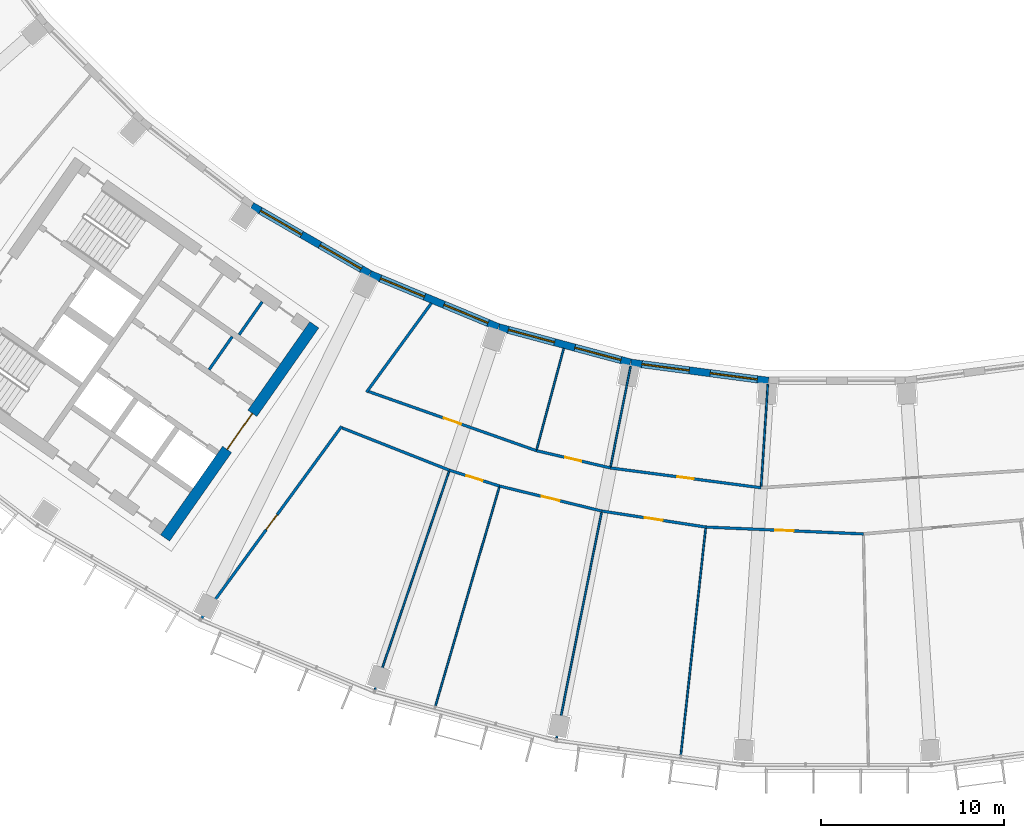
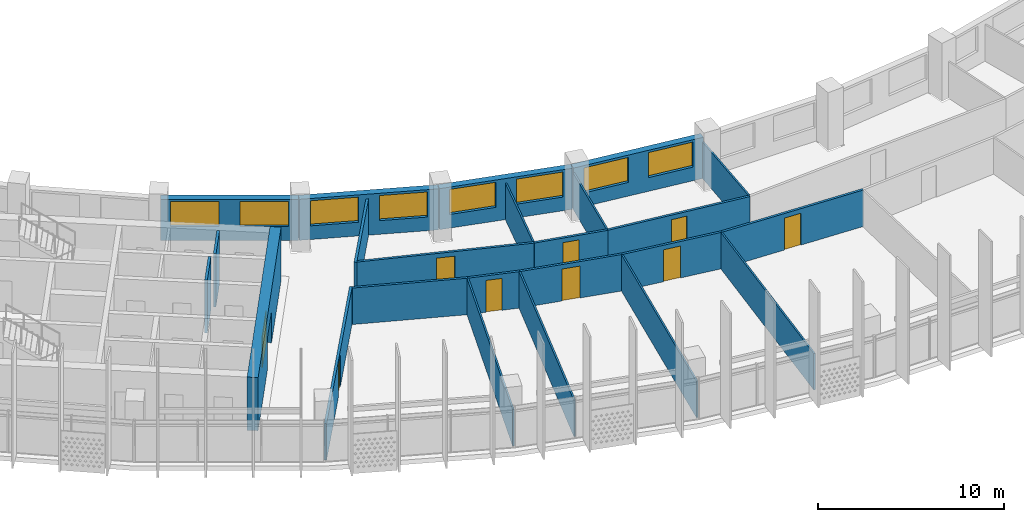
# One storey, part 3 of 30: 24 walls, 9 doors, 8 windows, 17 openings.
"""IFC4 building model written with IfcOpenShell, lengths in metres."""

from ifc_helpers import new_model, si_unit, direction, frame, frame_2d, origin, place, context, subcontext, project, spatial, rectangle, extrude, material, layer, layer_set, type_object, element, fill, save


model = new_model("IFC4")

# Units and contexts
model_context = context("Model", 3, precision=1e-05, world=origin(), true_north=direction((0.0, 1.0)))
body_context = subcontext(model_context, "Body", "Model", "MODEL_VIEW")
ifc_project = project(units=[si_unit("LENGTHUNIT", "METRE"), si_unit("AREAUNIT", "SQUARE_METRE"), si_unit("VOLUMEUNIT", "CUBIC_METRE"), si_unit("PLANEANGLEUNIT", "RADIAN"), si_unit("MASSUNIT", "GRAM", prefix="KILO")], contexts=[model_context])

# Site, building, storey
site_placement = place(None, origin())
site = spatial("IfcSite", under=ifc_project, at=site_placement, CompositionType="ELEMENT")
building_placement = place(site_placement, origin())
building = spatial("IfcBuilding", under=site, at=building_placement, Name="Qamariyya Broadcast Tower", CompositionType="ELEMENT")
storey_placement = place(building_placement, frame((0.0, 0.0, 203.699951171875)))
storey = spatial("IfcBuildingStorey", under=building, at=storey_placement, Name="L48", CompositionType="ELEMENT", Elevation=203.699951171875)

# Wall, opening, door
ifc_material_1 = material(Name="Concrete C60/75", Category="concrete")
ifc_layer_1 = layer(ifc_material_1, 0.60009765625)
ifc_layer_set_1 = layer_set([ifc_layer_1], Name="Core wall 600 mm Concrete C60/75")
wall_type_1 = type_object("IfcWallType", Name="Core wall 600 mm Concrete C60/75", PredefinedType="SHEAR", material=ifc_layer_set_1)
wall_1_placement = place(storey_placement, frame((-36.66748046875, -66.005126953125, 0.0), z_axis=(0.0, 0.0, 1.0), x_axis=(0.573568499524, 0.819157601658, 0.0)))
wall_1 = element("IfcWall", 1, at=wall_1_placement, inside=storey, type_object=wall_type_1, Name="k-W-L48-WA", PredefinedType="SHEAR", context=body_context, shape_type="SweptSolid", body=[
    extrude(rectangle(XDim=14.19970703125, YDim=0.60009765625, at=frame_2d((7.099853515625, 0.0))), origin(), (0.0, 0.0, 1.0), 3.5),
])
opening_1_placement = place(wall_1_placement, frame((5.89990234375, 0.0, 0.0)))
opening_1 = element("IfcOpeningElement", 2, at=opening_1_placement, cuts=wall_1, Name="Opening KD3-W1", PredefinedType="OPENING", context=body_context, shape_type="SweptSolid", body=[
    extrude(rectangle(XDim=2.39990234375, YDim=2.10009765625, at=frame_2d((1.199951171875, 1.050048828125))), frame((0.0, 0.31005859375, 0.0), z_axis=(0.0, -1.0, 0.0), x_axis=(1.0, 0.0, 0.0)), (0.0, 0.0, 1.0), 0.6201171875),
])
ifc_material_2 = material(Name="Steel fire-resisting door leaf", Category="steel")
door_type_1 = type_object("IfcDoorType", Name="Lift lobby door KD3", OperationType="DOUBLE_DOOR_SINGLE_SWING", PredefinedType="DOOR", material=ifc_material_2)
door_1_placement = place(opening_1_placement, origin())
door_1 = element("IfcDoor", 3, at=door_1_placement, inside=storey, type_object=door_type_1, Name="k-W-L48-WA-D1", OperationType="DOUBLE_DOOR_SINGLE_SWING", OverallHeight=2.10009765625, OverallWidth=2.39990234375, PredefinedType="DOOR", context=body_context, shape_type="SweptSolid", body=[
    extrude(rectangle(XDim=2.39990234375, YDim=2.10009765625, at=frame_2d((1.199951171875, 1.050048828125))), frame((0.0, 0.02490234375, 0.0), z_axis=(0.0, -1.0, 0.0), x_axis=(1.0, 0.0, 0.0)), (0.0, 0.0, 1.0), 0.050048828125),
])
fill(opening_1, door_1)

ifc_material_3 = material(Name="Gypsum board partition")
ifc_layer_2 = layer(ifc_material_3, 0.14990234375)
ifc_layer_set_2 = layer_set([ifc_layer_2], Name="Corridor partition 150 EI 60")
wall_type_2 = type_object("IfcWallType", Name="Corridor partition 150 EI 60", PredefinedType="PARTITIONING", material=ifc_layer_set_2)
wall_2_placement = place(storey_placement, frame((-27.033447265625, -59.90966796875, 0.0), z_axis=(0.0, 0.0, 1.0), x_axis=(-0.589273648147, -0.807933516819, 0.0)))
wall_2 = element("IfcWall", 4, at=wall_2_placement, inside=storey, type_object=wall_type_2, Name="Partition L48-002", PredefinedType="PARTITIONING", context=body_context, shape_type="SweptSolid", body=[
    extrude(rectangle(XDim=12.956298828125, YDim=0.14990234375, at=frame_2d((6.47802734375, 0.0))), origin(), (0.0, 0.0, 1.0), 2.400146484375),
])
opening_2_placement = place(wall_2_placement, frame((5.97802734375, 0.0, 0.0)))
opening_2 = element("IfcOpeningElement", 5, at=opening_2_placement, cuts=wall_2, Name="Opening L48-D01", PredefinedType="OPENING", context=body_context, shape_type="SweptSolid", body=[
    extrude(rectangle(XDim=1.0, YDim=2.10009765625, at=frame_2d((0.5, 1.050048828125))), frame((0.0, 0.0849609375, 0.0), z_axis=(0.0, -1.0, 0.0), x_axis=(1.0, 0.0, 0.0)), (0.0, 0.0, 1.0), 0.169921875),
])
ifc_material_4 = material(Name="Timber fire door leaf", Category="wood")
door_type_2 = type_object("IfcDoorType", Name="Fire door 1000 x 2100 FD60", OperationType="NOTDEFINED", PredefinedType="DOOR", material=ifc_material_4)
door_2_placement = place(opening_2_placement, origin())
door_2 = element("IfcDoor", 6, at=door_2_placement, inside=storey, type_object=door_type_2, Name="Door L48-D01", OperationType="SINGLE_SWING_RIGHT", OverallHeight=2.10009765625, OverallWidth=1.0, PredefinedType="DOOR", context=body_context, shape_type="SweptSolid", body=[
    extrude(rectangle(XDim=1.0, YDim=2.10009765625, at=frame_2d((0.5, 1.050048828125))), frame((0.0, 0.02490234375, 0.0), z_axis=(0.0, -1.0, 0.0), x_axis=(1.0, 0.0, 0.0)), (0.0, 0.0, 1.0), 0.050048828125),
])
fill(opening_2, door_2)

# Wall
wall_3_placement = place(storey_placement, frame((-27.008056640625, -59.997802734375, 0.0), z_axis=(0.0, 0.0, 1.0), x_axis=(0.930254850636, -0.366914040162, 0.0)))
element("IfcWall", 7, at=wall_3_placement, inside=storey, type_object=wall_type_2, Name="Partition L48-003", PredefinedType="PARTITIONING", context=body_context, shape_type="SweptSolid", body=[
    extrude(rectangle(XDim=6.296630859375, YDim=0.14990234375, at=frame_2d((3.1484375, 0.0))), origin(), (0.0, 0.0, 1.0), 2.400146484375),
])

# Wall, opening, door
wall_4_placement = place(storey_placement, frame((-25.56103515625, -58.0126953125, 0.0), z_axis=(0.0, 0.0, 1.0), x_axis=(0.943087830275, -0.332543748081, 0.0)))
wall_4 = element("IfcWall", 8, at=wall_4_placement, inside=storey, type_object=wall_type_2, Name="Partition L48-004", PredefinedType="PARTITIONING", context=body_context, shape_type="SweptSolid", body=[
    extrude(rectangle(XDim=9.7041015625, YDim=0.14990234375, at=frame_2d((4.85205078125, 0.0))), origin(), (0.0, 0.0, 1.0), 2.400146484375),
])
opening_3_placement = place(wall_4_placement, frame((4.35205078125, 0.0, 0.0)))
opening_3 = element("IfcOpeningElement", 9, at=opening_3_placement, cuts=wall_4, Name="Opening L48-D09", PredefinedType="OPENING", context=body_context, shape_type="SweptSolid", body=[
    extrude(rectangle(XDim=1.0, YDim=2.10009765625, at=frame_2d((0.5, 1.050048828125))), frame((0.0, 0.0849609375, 0.0), z_axis=(0.0, -1.0, 0.0), x_axis=(1.0, 0.0, 0.0)), (0.0, 0.0, 1.0), 0.169921875),
])
door_3_placement = place(opening_3_placement, origin())
door_3 = element("IfcDoor", 10, at=door_3_placement, inside=storey, type_object=door_type_2, Name="Door L48-D09", OperationType="SINGLE_SWING_RIGHT", OverallHeight=2.10009765625, OverallWidth=1.0, PredefinedType="DOOR", context=body_context, shape_type="SweptSolid", body=[
    extrude(rectangle(XDim=1.0, YDim=2.10009765625, at=frame_2d((0.5, 1.050048828125))), frame((0.0, 0.02490234375, 0.0), z_axis=(0.0, -1.0, 0.0), x_axis=(1.0, 0.0, 0.0)), (0.0, 0.0, 1.0), 0.050048828125),
])
fill(opening_3, door_3)

# Wall
wall_5_placement = place(storey_placement, frame((-22.135498046875, -53.1943359375, 0.0), z_axis=(0.0, 0.0, 1.0), x_axis=(-0.589297062476, -0.807916438846, 0.0)))
element("IfcWall", 11, at=wall_5_placement, inside=storey, type_object=wall_type_2, Name="Partition L48-007", PredefinedType="PARTITIONING", context=body_context, shape_type="SweptSolid", body=[
    extrude(rectangle(XDim=6.008056640625, YDim=0.14990234375, at=frame_2d((3.00390625, 0.0))), origin(), (0.0, 0.0, 1.0), 2.400146484375),
])

# Wall, opening, door
wall_6_placement = place(storey_placement, frame((-18.41455078125, -63.170654296875, 0.0), z_axis=(0.0, 0.0, 1.0), x_axis=(-0.953730459195, 0.300662952827, 0.0)))
wall_6 = element("IfcWall", 12, at=wall_6_placement, inside=storey, type_object=wall_type_2, Name="Partition L48-008", PredefinedType="PARTITIONING", context=body_context, shape_type="SweptSolid", body=[
    extrude(rectangle(XDim=2.868896484375, YDim=0.14990234375, at=frame_2d((1.4345703125, 0.0))), origin(), (0.0, 0.0, 1.0), 2.400146484375),
])
opening_4_placement = place(wall_6_placement, frame((0.984619140625, 0.0, 0.0)))
opening_4 = element("IfcOpeningElement", 13, at=opening_4_placement, cuts=wall_6, Name="Opening L48-D02", PredefinedType="OPENING", context=body_context, shape_type="SweptSolid", body=[
    extrude(rectangle(XDim=0.89990234375, YDim=2.10009765625, at=frame_2d((0.449951171875, 1.050048828125))), frame((0.0, 0.0849609375, 0.0), z_axis=(0.0, -1.0, 0.0), x_axis=(1.0, 0.0, 0.0)), (0.0, 0.0, 1.0), 0.169921875),
])
door_type_3 = type_object("IfcDoorType", Name="Fire door 900 x 2100 FD60", OperationType="NOTDEFINED", PredefinedType="DOOR", material=ifc_material_4)
door_4_placement = place(opening_4_placement, origin())
door_4 = element("IfcDoor", 14, at=door_4_placement, inside=storey, type_object=door_type_3, Name="Door L48-D02", OperationType="SINGLE_SWING_RIGHT", OverallHeight=2.10009765625, OverallWidth=0.89990234375, PredefinedType="DOOR", context=body_context, shape_type="SweptSolid", body=[
    extrude(rectangle(XDim=0.89990234375, YDim=2.10009765625, at=frame_2d((0.449951171875, 1.050048828125))), frame((0.0, 0.02490234375, 0.0), z_axis=(0.0, -1.0, 0.0), x_axis=(1.0, 0.0, 0.0)), (0.0, 0.0, 1.0), 0.050048828125),
])
fill(opening_4, door_4)

wall_7_placement = place(storey_placement, frame((-12.8369140625, -64.53564453125, 0.0), z_axis=(0.0, 0.0, 1.0), x_axis=(-0.971335989794, 0.237710737938, 0.0)))
wall_7 = element("IfcWall", 15, at=wall_7_placement, inside=storey, type_object=wall_type_2, Name="Partition L48-009", PredefinedType="PARTITIONING", context=body_context, shape_type="SweptSolid", body=[
    extrude(rectangle(XDim=5.7421875, YDim=0.14990234375, at=frame_2d((2.87109375, 0.0))), origin(), (0.0, 0.0, 1.0), 2.400146484375),
])
opening_5_placement = place(wall_7_placement, frame((2.37109375, 0.0, 0.0)))
opening_5 = element("IfcOpeningElement", 16, at=opening_5_placement, cuts=wall_7, Name="Opening L48-D03", PredefinedType="OPENING", context=body_context, shape_type="SweptSolid", body=[
    extrude(rectangle(XDim=1.0, YDim=2.10009765625, at=frame_2d((0.5, 1.050048828125))), frame((0.0, 0.0849609375, 0.0), z_axis=(0.0, -1.0, 0.0), x_axis=(1.0, 0.0, 0.0)), (0.0, 0.0, 1.0), 0.169921875),
])
door_5_placement = place(opening_5_placement, origin())
door_5 = element("IfcDoor", 17, at=door_5_placement, inside=storey, type_object=door_type_2, Name="Door L48-D03", OperationType="SINGLE_SWING_RIGHT", OverallHeight=2.10009765625, OverallWidth=1.0, PredefinedType="DOOR", context=body_context, shape_type="SweptSolid", body=[
    extrude(rectangle(XDim=1.0, YDim=2.10009765625, at=frame_2d((0.5, 1.050048828125))), frame((0.0, 0.02490234375, 0.0), z_axis=(0.0, -1.0, 0.0), x_axis=(1.0, 0.0, 0.0)), (0.0, 0.0, 1.0), 0.050048828125),
])
fill(opening_5, door_5)

wall_8_placement = place(storey_placement, frame((-16.4091796875, -61.23974609375, 0.0), z_axis=(0.0, 0.0, 1.0), x_axis=(0.973875922187, -0.227080796599, 0.0)))
wall_8 = element("IfcWall", 18, at=wall_8_placement, inside=storey, type_object=wall_type_2, Name="Partition L48-010", PredefinedType="PARTITIONING", context=body_context, shape_type="SweptSolid", body=[
    extrude(rectangle(XDim=4.14892578125, YDim=0.14990234375, at=frame_2d((2.074462890625, 0.0))), origin(), (0.0, 0.0, 1.0), 2.400146484375),
])
opening_6_placement = place(wall_8_placement, frame((1.62451171875, 0.0, 0.0)))
opening_6 = element("IfcOpeningElement", 19, at=opening_6_placement, cuts=wall_8, Name="Opening L48-D10", PredefinedType="OPENING", context=body_context, shape_type="SweptSolid", body=[
    extrude(rectangle(XDim=0.89990234375, YDim=2.10009765625, at=frame_2d((0.449951171875, 1.050048828125))), frame((0.0, 0.0849609375, 0.0), z_axis=(0.0, -1.0, 0.0), x_axis=(1.0, 0.0, 0.0)), (0.0, 0.0, 1.0), 0.169921875),
])
door_6_placement = place(opening_6_placement, origin())
door_6 = element("IfcDoor", 20, at=door_6_placement, inside=storey, type_object=door_type_3, Name="Door L48-D10", OperationType="SINGLE_SWING_RIGHT", OverallHeight=2.10009765625, OverallWidth=0.89990234375, PredefinedType="DOOR", context=body_context, shape_type="SweptSolid", body=[
    extrude(rectangle(XDim=0.89990234375, YDim=2.10009765625, at=frame_2d((0.449951171875, 1.050048828125))), frame((0.0, 0.02490234375, 0.0), z_axis=(0.0, -1.0, 0.0), x_axis=(1.0, 0.0, 0.0)), (0.0, 0.0, 1.0), 0.050048828125),
])
fill(opening_6, door_6)

wall_9_placement = place(storey_placement, frame((-7.16162109375, -65.4091796875, 0.0), z_axis=(0.0, 0.0, 1.0), x_axis=(-0.988360881462, 0.15212747285, 0.0)))
wall_9 = element("IfcWall", 21, at=wall_9_placement, inside=storey, type_object=wall_type_2, Name="Partition L48-013", PredefinedType="PARTITIONING", context=body_context, shape_type="SweptSolid", body=[
    extrude(rectangle(XDim=5.7421875, YDim=0.14990234375, at=frame_2d((2.87109375, 0.0))), origin(), (0.0, 0.0, 1.0), 2.400146484375),
])
opening_7_placement = place(wall_9_placement, frame((2.37109375, 0.0, 0.0)))
opening_7 = element("IfcOpeningElement", 22, at=opening_7_placement, cuts=wall_9, Name="Opening L48-D04", PredefinedType="OPENING", context=body_context, shape_type="SweptSolid", body=[
    extrude(rectangle(XDim=1.0, YDim=2.10009765625, at=frame_2d((0.5, 1.050048828125))), frame((0.0, 0.0849609375, 0.0), z_axis=(0.0, -1.0, 0.0), x_axis=(1.0, 0.0, 0.0)), (0.0, 0.0, 1.0), 0.169921875),
])
door_7_placement = place(opening_7_placement, origin())
door_7 = element("IfcDoor", 23, at=door_7_placement, inside=storey, type_object=door_type_2, Name="Door L48-D04", OperationType="SINGLE_SWING_RIGHT", OverallHeight=2.10009765625, OverallWidth=1.0, PredefinedType="DOOR", context=body_context, shape_type="SweptSolid", body=[
    extrude(rectangle(XDim=1.0, YDim=2.10009765625, at=frame_2d((0.5, 1.050048828125))), frame((0.0, 0.02490234375, 0.0), z_axis=(0.0, -1.0, 0.0), x_axis=(1.0, 0.0, 0.0)), (0.0, 0.0, 1.0), 0.050048828125),
])
fill(opening_7, door_7)

wall_10_placement = place(storey_placement, frame((-12.36865234375, -62.181884765625, 0.0), z_axis=(0.0, 0.0, 1.0), x_axis=(0.991447881484, -0.130503250152, 0.0)))
wall_10 = element("IfcWall", 24, at=wall_10_placement, inside=storey, type_object=wall_type_2, Name="Partition L48-014", PredefinedType="PARTITIONING", context=body_context, shape_type="SweptSolid", body=[
    extrude(rectangle(XDim=8.293212890625, YDim=0.14990234375, at=frame_2d((4.146484375, 0.0))), origin(), (0.0, 0.0, 1.0), 2.400146484375),
])
opening_8_placement = place(wall_10_placement, frame((3.696533203125, 0.0, 0.0)))
opening_8 = element("IfcOpeningElement", 25, at=opening_8_placement, cuts=wall_10, Name="Opening L48-D11", PredefinedType="OPENING", context=body_context, shape_type="SweptSolid", body=[
    extrude(rectangle(XDim=0.89990234375, YDim=2.10009765625, at=frame_2d((0.449951171875, 1.050048828125))), frame((0.0, 0.0849609375, 0.0), z_axis=(0.0, -1.0, 0.0), x_axis=(1.0, 0.0, 0.0)), (0.0, 0.0, 1.0), 0.169921875),
])
door_8_placement = place(opening_8_placement, origin())
door_8 = element("IfcDoor", 26, at=door_8_placement, inside=storey, type_object=door_type_3, Name="Door L48-D11", OperationType="SINGLE_SWING_RIGHT", OverallHeight=2.10009765625, OverallWidth=0.89990234375, PredefinedType="DOOR", context=body_context, shape_type="SweptSolid", body=[
    extrude(rectangle(XDim=0.89990234375, YDim=2.10009765625, at=frame_2d((0.449951171875, 1.050048828125))), frame((0.0, 0.02490234375, 0.0), z_axis=(0.0, -1.0, 0.0), x_axis=(1.0, 0.0, 0.0)), (0.0, 0.0, 1.0), 0.050048828125),
])
fill(opening_8, door_8)

wall_11_placement = place(storey_placement, frame((1.437255859375, -65.7841796875, 0.0), z_axis=(0.0, 0.0, 1.0), x_axis=(-0.999050423115, 0.043568934724, 0.0)))
wall_11 = element("IfcWall", 27, at=wall_11_placement, inside=storey, type_object=wall_type_2, Name="Partition L48-017", PredefinedType="PARTITIONING", context=body_context, shape_type="SweptSolid", body=[
    extrude(rectangle(XDim=8.60693359375, YDim=0.14990234375, at=frame_2d((4.303466796875, 0.0))), origin(), (0.0, 0.0, 1.0), 2.400146484375),
])
opening_9_placement = place(wall_11_placement, frame((3.803466796875, 0.0, 0.0)))
opening_9 = element("IfcOpeningElement", 28, at=opening_9_placement, cuts=wall_11, Name="Opening L48-D05", PredefinedType="OPENING", context=body_context, shape_type="SweptSolid", body=[
    extrude(rectangle(XDim=1.0, YDim=2.10009765625, at=frame_2d((0.5, 1.050048828125))), frame((0.0, 0.0849609375, 0.0), z_axis=(0.0, -1.0, 0.0), x_axis=(1.0, 0.0, 0.0)), (0.0, 0.0, 1.0), 0.169921875),
])
door_9_placement = place(opening_9_placement, origin())
door_9 = element("IfcDoor", 29, at=door_9_placement, inside=storey, type_object=door_type_2, Name="Door L48-D05", OperationType="SINGLE_SWING_RIGHT", OverallHeight=2.10009765625, OverallWidth=1.0, PredefinedType="DOOR", context=body_context, shape_type="SweptSolid", body=[
    extrude(rectangle(XDim=1.0, YDim=2.10009765625, at=frame_2d((0.5, 1.050048828125))), frame((0.0, 0.02490234375, 0.0), z_axis=(0.0, -1.0, 0.0), x_axis=(1.0, 0.0, 0.0)), (0.0, 0.0, 1.0), 0.050048828125),
])
fill(opening_9, door_9)

# Walls
ifc_material_5 = material(Name="Gypsum board partition on steel studs", Category="steel")
ifc_layer_3 = layer(ifc_material_5, 0.14990234375)
ifc_layer_set_3 = layer_set([ifc_layer_3], Name="Gypsum board partition 150 mm")
wall_type_3 = type_object("IfcWallType", Name="Gypsum board partition 150 mm", PredefinedType="PARTITIONING", material=ifc_layer_set_3)
wall_12_placement = place(storey_placement, frame((-34.26611328125, -56.822021484375, 0.0), z_axis=(0.0, 0.0, 1.0), x_axis=(0.573581496053, 0.819148501424, 0.0)))
element("IfcWall", 30, at=wall_12_placement, inside=storey, type_object=wall_type_3, Name="k-W-L48-NC300", PredefinedType="PARTITIONING", context=body_context, shape_type="SweptSolid", body=[
    extrude(rectangle(XDim=2.2001953125, YDim=0.14990234375, at=frame_2d((1.10009765625, 0.0))), origin(), (0.0, 0.0, 1.0), 3.5),
])
wall_13_placement = place(storey_placement, frame((-32.627197265625, -54.91748046875, 0.0), z_axis=(0.0, 0.0, 1.0), x_axis=(0.573507030513, 0.819200638399, 0.0)))
element("IfcWall", 31, at=wall_13_placement, inside=storey, type_object=wall_type_3, Name="k-W-L48-NP275", PredefinedType="PARTITIONING", context=body_context, shape_type="SweptSolid", body=[
    extrude(rectangle(XDim=2.199951171875, YDim=0.14990234375, at=frame_2d((1.10009765625, 0.0))), origin(), (0.0, 0.0, 1.0), 3.5),
])
ifc_layer_4 = layer(ifc_material_3, 0.10009765625)
ifc_layer_set_4 = layer_set([ifc_layer_4], Name="Partition 100")
wall_type_4 = type_object("IfcWallType", Name="Partition 100", PredefinedType="PARTITIONING", material=ifc_layer_set_4)
wall_14_placement = place(storey_placement, frame((-25.217041015625, -74.28662109375, 0.0), z_axis=(0.0, 0.0, 1.0), x_axis=(0.321447438057, 0.946927423072, 0.0)))
element("IfcWall", 32, at=wall_14_placement, inside=storey, type_object=wall_type_4, Name="Partition L48-005", PredefinedType="PARTITIONING", context=body_context, shape_type="SweptSolid", body=[
    extrude(rectangle(XDim=12.5751953125, YDim=0.10009765625, at=frame_2d((6.28759765625, 0.0))), origin(), (0.0, 0.0, 1.0), 2.400146484375),
])
wall_15_placement = place(storey_placement, frame((-21.912841796875, -75.171630859375, 0.0), z_axis=(0.0, 0.0, 1.0), x_axis=(0.27985286912, 0.96004290094, 0.0)))
element("IfcWall", 33, at=wall_15_placement, inside=storey, type_object=wall_type_4, Name="Partition L48-006", PredefinedType="PARTITIONING", context=body_context, shape_type="SweptSolid", body=[
    extrude(rectangle(XDim=12.425537109375, YDim=0.10009765625, at=frame_2d((6.212890625, 0.0))), origin(), (0.0, 0.0, 1.0), 2.400146484375),
])
wall_16_placement = place(storey_placement, frame((-15.304931640625, -76.942626953125, 0.0), z_axis=(0.0, 0.0, 1.0), x_axis=(0.195096765563, 0.98078399868, 0.0)))
element("IfcWall", 34, at=wall_16_placement, inside=storey, type_object=wall_type_4, Name="Partition L48-011", PredefinedType="PARTITIONING", context=body_context, shape_type="SweptSolid", body=[
    extrude(rectangle(XDim=12.5751953125, YDim=0.10009765625, at=frame_2d((6.28759765625, 0.0))), origin(), (0.0, 0.0, 1.0), 2.400146484375),
])
wall_17_placement = place(storey_placement, frame((-14.9150390625, -55.66357421875, 0.0), z_axis=(0.0, 0.0, 1.0), x_axis=(-0.258803907589, -0.965929882247, 0.0)))
element("IfcWall", 35, at=wall_17_placement, inside=storey, type_object=wall_type_4, Name="Partition L48-012", PredefinedType="PARTITIONING", context=body_context, shape_type="SweptSolid", body=[
    extrude(rectangle(XDim=5.69775390625, YDim=0.10009765625, at=frame_2d((2.848876953125, 0.0))), origin(), (0.0, 0.0, 1.0), 2.400146484375),
])
wall_18_placement = place(storey_placement, frame((-11.266357421875, -56.640380859375, 0.0), z_axis=(0.0, 0.0, 1.0), x_axis=(-0.195097004053, -0.98078395124, 0.0)))
element("IfcWall", 36, at=wall_18_placement, inside=storey, type_object=wall_type_4, Name="Partition L48-015", PredefinedType="PARTITIONING", context=body_context, shape_type="SweptSolid", body=[
    extrude(rectangle(XDim=5.574951171875, YDim=0.10009765625, at=frame_2d((2.78759765625, 0.0))), origin(), (0.0, 0.0, 1.0), 2.400146484375),
])
wall_19_placement = place(storey_placement, frame((-8.522216796875, -77.835205078125, 0.0), z_axis=(0.0, 0.0, 1.0), x_axis=(0.108852796, 0.994057880006, 0.0)))
element("IfcWall", 37, at=wall_19_placement, inside=storey, type_object=wall_type_4, Name="Partition L48-016", PredefinedType="PARTITIONING", context=body_context, shape_type="SweptSolid", body=[
    extrude(rectangle(XDim=12.42529296875, YDim=0.10009765625, at=frame_2d((6.212646484375, 0.0))), origin(), (0.0, 0.0, 1.0), 2.400146484375),
])
wall_20_placement = place(storey_placement, frame((-3.777099609375, -57.62646484375, 0.0), z_axis=(0.0, 0.0, 1.0), x_axis=(-0.065382488891, -0.997860275864, 0.0)))
element("IfcWall", 38, at=wall_20_placement, inside=storey, type_object=wall_type_4, Name="Partition L48-019", PredefinedType="PARTITIONING", context=body_context, shape_type="SweptSolid", body=[
    extrude(rectangle(XDim=5.574951171875, YDim=0.10009765625, at=frame_2d((2.78759765625, 0.0))), origin(), (0.0, 0.0, 1.0), 2.400146484375),
])

# Wall, openings, windows
ifc_material_6 = material(Name="Terracotta", Category="masonry")
ifc_layer_5 = layer(ifc_material_6, 0.39990234375)
ifc_layer_set_5 = layer_set([ifc_layer_5], Name="Terracotta clad wall 400")
wall_type_5 = type_object("IfcWallType", Name="Terracotta clad wall 400", PredefinedType="SOLIDWALL", material=ifc_layer_set_5)
wall_21_placement = place(storey_placement, frame((-25.497802734375, -51.590087890625, 0.0), z_axis=(0.0, 0.0, 1.0), x_axis=(-0.866021353871, 0.500007014591, 0.0)))
wall_21 = element("IfcWall", 39, at=wall_21_placement, inside=storey, type_object=wall_type_5, Name="e-wl-L48-in40", PredefinedType="SOLIDWALL", context=body_context, shape_type="SweptSolid", body=[
    extrude(rectangle(XDim=7.4267578125, YDim=0.39990234375, at=frame_2d((3.71337890625, 0.0))), origin(), (0.0, 0.0, 1.0), 2.699951171875),
])
opening_10_placement = place(wall_21_placement, frame((4.28857421875, 0.0, 0.89990234375)))
opening_10 = element("IfcOpeningElement", 40, at=opening_10_placement, cuts=wall_21, Name="Opening W1", PredefinedType="OPENING", context=body_context, shape_type="SweptSolid", body=[
    extrude(rectangle(XDim=2.60009765625, YDim=1.64990234375, at=frame_2d((1.300048828125, 0.824951171875))), frame((0.0, 0.2099609375, 0.0), z_axis=(0.0, -1.0, 0.0), x_axis=(1.0, 0.0, 0.0)), (0.0, 0.0, 1.0), 0.419921875),
])
opening_11_placement = place(wall_21_placement, frame((0.537841796875, 0.0, 0.89990234375)))
opening_11 = element("IfcOpeningElement", 41, at=opening_11_placement, cuts=wall_21, Name="Opening W1", PredefinedType="OPENING", context=body_context, shape_type="SweptSolid", body=[
    extrude(rectangle(XDim=2.60009765625, YDim=1.64990234375, at=frame_2d((1.300048828125, 0.824951171875))), frame((0.0, 0.2099609375, 0.0), z_axis=(0.0, -1.0, 0.0), x_axis=(1.0, 0.0, 0.0)), (0.0, 0.0, 1.0), 0.419921875),
])
ifc_material_7 = material(Name="Clear low-e double glazed unit in aluminium frame", Category="aluminium")
window_type = type_object("IfcWindowType", Name="Ribbon window 2600 x 1650", PartitioningType="SINGLE_PANEL", PredefinedType="WINDOW", material=ifc_material_7)
window_1_placement = place(opening_10_placement, origin())
window_1 = element("IfcWindow", 42, at=window_1_placement, inside=storey, type_object=window_type, Name="e-w-L48-in04-0", OverallHeight=1.64990234375, OverallWidth=2.60009765625, PartitioningType="SINGLE_PANEL", PredefinedType="WINDOW", context=body_context, shape_type="SweptSolid", body=[
    extrude(rectangle(XDim=2.60009765625, YDim=1.64990234375, at=frame_2d((1.300048828125, 0.824951171875))), frame((0.0, 0.030029296875, 0.0), z_axis=(0.0, -1.0, 0.0), x_axis=(1.0, 0.0, 0.0)), (0.0, 0.0, 1.0), 0.06005859375),
])
fill(opening_10, window_1)
window_2_placement = place(opening_11_placement, origin())
window_2 = element("IfcWindow", 43, at=window_2_placement, inside=storey, type_object=window_type, Name="e-w-L48-in04-1", OverallHeight=1.64990234375, OverallWidth=2.60009765625, PartitioningType="SINGLE_PANEL", PredefinedType="WINDOW", context=body_context, shape_type="SweptSolid", body=[
    extrude(rectangle(XDim=2.60009765625, YDim=1.64990234375, at=frame_2d((1.300048828125, 0.824951171875))), frame((0.0, 0.030029296875, 0.0), z_axis=(0.0, -1.0, 0.0), x_axis=(1.0, 0.0, 0.0)), (0.0, 0.0, 1.0), 0.06005859375),
])
fill(opening_11, window_2)

wall_22_placement = place(storey_placement, frame((-18.475830078125, -54.505859375, 0.0), z_axis=(0.0, 0.0, 1.0), x_axis=(-0.923884115122, 0.382672368777, 0.0)))
wall_22 = element("IfcWall", 44, at=wall_22_placement, inside=storey, type_object=wall_type_5, Name="e-wl-L48-in50", PredefinedType="SOLIDWALL", context=body_context, shape_type="SweptSolid", body=[
    extrude(rectangle(XDim=7.578125, YDim=0.39990234375, at=frame_2d((3.7890625, 0.0))), origin(), (0.0, 0.0, 1.0), 2.699951171875),
])
opening_12_placement = place(wall_22_placement, frame((4.364501953125, 0.0, 0.89990234375)))
opening_12 = element("IfcOpeningElement", 45, at=opening_12_placement, cuts=wall_22, Name="Opening W1", PredefinedType="OPENING", context=body_context, shape_type="SweptSolid", body=[
    extrude(rectangle(XDim=2.60009765625, YDim=1.64990234375, at=frame_2d((1.300048828125, 0.824951171875))), frame((0.0, 0.2099609375, 0.0), z_axis=(0.0, -1.0, 0.0), x_axis=(1.0, 0.0, 0.0)), (0.0, 0.0, 1.0), 0.419921875),
])
opening_13_placement = place(wall_22_placement, frame((0.613525390625, 0.0, 0.89990234375)))
opening_13 = element("IfcOpeningElement", 46, at=opening_13_placement, cuts=wall_22, Name="Opening W1", PredefinedType="OPENING", context=body_context, shape_type="SweptSolid", body=[
    extrude(rectangle(XDim=2.60009765625, YDim=1.64990234375, at=frame_2d((1.300048828125, 0.824951171875))), frame((0.0, 0.2099609375, 0.0), z_axis=(0.0, -1.0, 0.0), x_axis=(1.0, 0.0, 0.0)), (0.0, 0.0, 1.0), 0.419921875),
])
window_3_placement = place(opening_12_placement, origin())
window_3 = element("IfcWindow", 47, at=window_3_placement, inside=storey, type_object=window_type, Name="e-w-L48-in05-0", OverallHeight=1.64990234375, OverallWidth=2.60009765625, PartitioningType="SINGLE_PANEL", PredefinedType="WINDOW", context=body_context, shape_type="SweptSolid", body=[
    extrude(rectangle(XDim=2.60009765625, YDim=1.64990234375, at=frame_2d((1.300048828125, 0.824951171875))), frame((0.0, 0.030029296875, 0.0), z_axis=(0.0, -1.0, 0.0), x_axis=(1.0, 0.0, 0.0)), (0.0, 0.0, 1.0), 0.06005859375),
])
fill(opening_12, window_3)
window_4_placement = place(opening_13_placement, origin())
window_4 = element("IfcWindow", 48, at=window_4_placement, inside=storey, type_object=window_type, Name="e-w-L48-in05-1", OverallHeight=1.64990234375, OverallWidth=2.60009765625, PartitioningType="SINGLE_PANEL", PredefinedType="WINDOW", context=body_context, shape_type="SweptSolid", body=[
    extrude(rectangle(XDim=2.60009765625, YDim=1.64990234375, at=frame_2d((1.300048828125, 0.824951171875))), frame((0.0, 0.030029296875, 0.0), z_axis=(0.0, -1.0, 0.0), x_axis=(1.0, 0.0, 0.0)), (0.0, 0.0, 1.0), 0.06005859375),
])
fill(opening_13, window_4)

wall_23_placement = place(storey_placement, frame((-11.276611328125, -56.431396484375, 0.0), z_axis=(0.0, 0.0, 1.0), x_axis=(-0.965924866111, 0.25882262851, 0.0)))
wall_23 = element("IfcWall", 49, at=wall_23_placement, inside=storey, type_object=wall_type_5, Name="e-wl-L48-in60", PredefinedType="SOLIDWALL", context=body_context, shape_type="SweptSolid", body=[
    extrude(rectangle(XDim=7.426513671875, YDim=0.39990234375, at=frame_2d((3.71337890625, 0.0))), origin(), (0.0, 0.0, 1.0), 2.699951171875),
])
opening_14_placement = place(wall_23_placement, frame((4.28857421875, 0.0, 0.89990234375)))
opening_14 = element("IfcOpeningElement", 50, at=opening_14_placement, cuts=wall_23, Name="Opening W1", PredefinedType="OPENING", context=body_context, shape_type="SweptSolid", body=[
    extrude(rectangle(XDim=2.60009765625, YDim=1.64990234375, at=frame_2d((1.300048828125, 0.824951171875))), frame((0.0, 0.2099609375, 0.0), z_axis=(0.0, -1.0, 0.0), x_axis=(1.0, 0.0, 0.0)), (0.0, 0.0, 1.0), 0.419921875),
])
opening_15_placement = place(wall_23_placement, frame((0.537841796875, 0.0, 0.89990234375)))
opening_15 = element("IfcOpeningElement", 51, at=opening_15_placement, cuts=wall_23, Name="Opening W1", PredefinedType="OPENING", context=body_context, shape_type="SweptSolid", body=[
    extrude(rectangle(XDim=2.60009765625, YDim=1.64990234375, at=frame_2d((1.300048828125, 0.824951171875))), frame((0.0, 0.2099609375, 0.0), z_axis=(0.0, -1.0, 0.0), x_axis=(1.0, 0.0, 0.0)), (0.0, 0.0, 1.0), 0.419921875),
])
window_5_placement = place(opening_14_placement, origin())
window_5 = element("IfcWindow", 52, at=window_5_placement, inside=storey, type_object=window_type, Name="e-w-L48-in06-0", OverallHeight=1.64990234375, OverallWidth=2.60009765625, PartitioningType="SINGLE_PANEL", PredefinedType="WINDOW", context=body_context, shape_type="SweptSolid", body=[
    extrude(rectangle(XDim=2.60009765625, YDim=1.64990234375, at=frame_2d((1.300048828125, 0.824951171875))), frame((0.0, 0.030029296875, 0.0), z_axis=(0.0, -1.0, 0.0), x_axis=(1.0, 0.0, 0.0)), (0.0, 0.0, 1.0), 0.06005859375),
])
fill(opening_14, window_5)
window_6_placement = place(opening_15_placement, origin())
window_6 = element("IfcWindow", 53, at=window_6_placement, inside=storey, type_object=window_type, Name="e-w-L48-in06-1", OverallHeight=1.64990234375, OverallWidth=2.60009765625, PartitioningType="SINGLE_PANEL", PredefinedType="WINDOW", context=body_context, shape_type="SweptSolid", body=[
    extrude(rectangle(XDim=2.60009765625, YDim=1.64990234375, at=frame_2d((1.300048828125, 0.824951171875))), frame((0.0, 0.030029296875, 0.0), z_axis=(0.0, -1.0, 0.0), x_axis=(1.0, 0.0, 0.0)), (0.0, 0.0, 1.0), 0.06005859375),
])
fill(opening_15, window_6)

wall_24_placement = place(storey_placement, frame((-3.7392578125, -57.430419921875, 0.0), z_axis=(0.0, 0.0, 1.0), x_axis=(-0.991446288508, 0.130515351599, 0.0)))
wall_24 = element("IfcWall", 54, at=wall_24_placement, inside=storey, type_object=wall_type_5, Name="e-wl-L48-in70", PredefinedType="SOLIDWALL", context=body_context, shape_type="SweptSolid", body=[
    extrude(rectangle(XDim=7.57763671875, YDim=0.39990234375, at=frame_2d((3.788818359375, 0.0))), origin(), (0.0, 0.0, 1.0), 2.699951171875),
])
opening_16_placement = place(wall_24_placement, frame((4.364501953125, 0.0, 0.89990234375)))
opening_16 = element("IfcOpeningElement", 55, at=opening_16_placement, cuts=wall_24, Name="Opening W1", PredefinedType="OPENING", context=body_context, shape_type="SweptSolid", body=[
    extrude(rectangle(XDim=2.60009765625, YDim=1.64990234375, at=frame_2d((1.300048828125, 0.824951171875))), frame((0.0, 0.2099609375, 0.0), z_axis=(0.0, -1.0, 0.0), x_axis=(1.0, 0.0, 0.0)), (0.0, 0.0, 1.0), 0.419921875),
])
opening_17_placement = place(wall_24_placement, frame((0.613525390625, 0.0, 0.89990234375)))
opening_17 = element("IfcOpeningElement", 56, at=opening_17_placement, cuts=wall_24, Name="Opening W1", PredefinedType="OPENING", context=body_context, shape_type="SweptSolid", body=[
    extrude(rectangle(XDim=2.60009765625, YDim=1.64990234375, at=frame_2d((1.300048828125, 0.824951171875))), frame((0.0, 0.2099609375, 0.0), z_axis=(0.0, -1.0, 0.0), x_axis=(1.0, 0.0, 0.0)), (0.0, 0.0, 1.0), 0.419921875),
])
window_7_placement = place(opening_16_placement, origin())
window_7 = element("IfcWindow", 57, at=window_7_placement, inside=storey, type_object=window_type, Name="e-w-L48-in07-0", OverallHeight=1.64990234375, OverallWidth=2.60009765625, PartitioningType="SINGLE_PANEL", PredefinedType="WINDOW", context=body_context, shape_type="SweptSolid", body=[
    extrude(rectangle(XDim=2.60009765625, YDim=1.64990234375, at=frame_2d((1.300048828125, 0.824951171875))), frame((0.0, 0.030029296875, 0.0), z_axis=(0.0, -1.0, 0.0), x_axis=(1.0, 0.0, 0.0)), (0.0, 0.0, 1.0), 0.06005859375),
])
fill(opening_16, window_7)
window_8_placement = place(opening_17_placement, origin())
window_8 = element("IfcWindow", 58, at=window_8_placement, inside=storey, type_object=window_type, Name="e-w-L48-in07-1", OverallHeight=1.64990234375, OverallWidth=2.60009765625, PartitioningType="SINGLE_PANEL", PredefinedType="WINDOW", context=body_context, shape_type="SweptSolid", body=[
    extrude(rectangle(XDim=2.60009765625, YDim=1.64990234375, at=frame_2d((1.300048828125, 0.824951171875))), frame((0.0, 0.030029296875, 0.0), z_axis=(0.0, -1.0, 0.0), x_axis=(1.0, 0.0, 0.0)), (0.0, 0.0, 1.0), 0.06005859375),
])
fill(opening_17, window_8)

save(model, "model.ifc")
